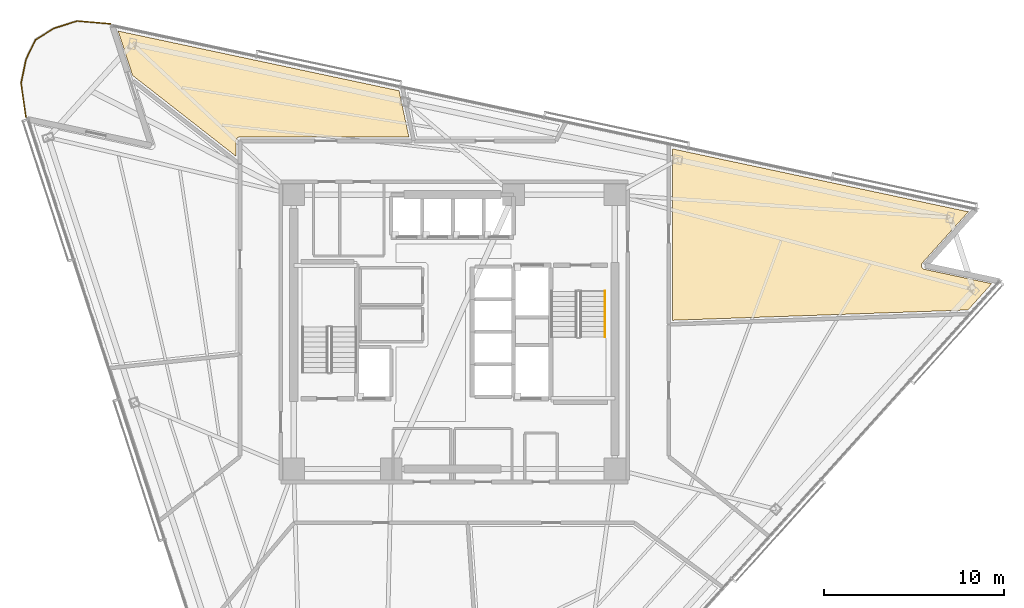
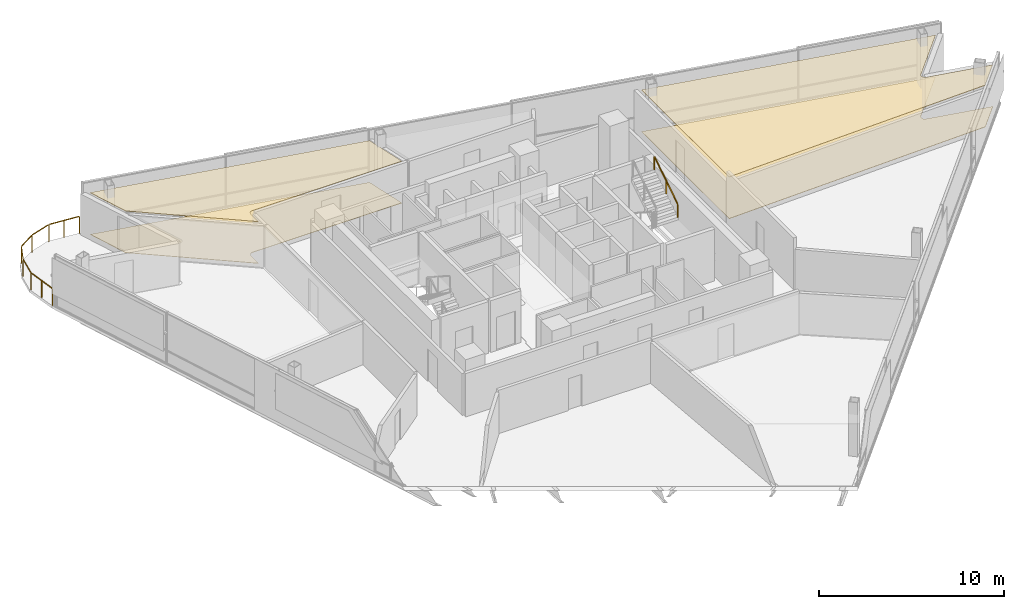
# One storey, part 17 of 17: 4 coverings, 2 railings.
"""IFC4 building model written with IfcOpenShell, lengths in metres."""

import ifcopenshell
import ifcopenshell.guid

model = None  # the IFC model being written
_history = None  # IfcOwnerHistory: only IFC2X3 demands one
_inside = {}  # id of a spatial element -> (the spatial element, [elements in it])
_under = {}  # id of a project, library or spatial element -> (it, [spatial elements below it])
_declared = {}  # id of a project -> (the project, [libraries it declares])
_typed = {}  # id of a type object -> (the type object, [elements of that type])
_made_of = {}  # id of a material, layer set ... -> (it, [elements and type objects made of it])


def new_model(schema):
    """Start an empty IFC model of exactly this schema.

    Asked for "IFC4X3", IfcOpenShell would pick the latest addendum, in which some entities
    have other attributes; the version numbers below select the first issue.
    IFC2X3 requires an IfcOwnerHistory on every rooted entity: one is made here for all.
    """
    global model, _history
    if schema == "IFC4X3":
        model = ifcopenshell.file(schema_version=(4, 3, 0, 0))
    else:
        model = ifcopenshell.file(schema=schema)
    _inside.clear()
    _under.clear()
    _declared.clear()
    _typed.clear()
    _made_of.clear()
    _history = None
    if model.schema == "IFC2X3":
        org = make("IfcOrganization", Name="unknown")
        user = make(
            "IfcPersonAndOrganization",
            ThePerson=make("IfcPerson", FamilyName="unknown"),
            TheOrganization=org,
        )
        app = make(
            "IfcApplication",
            ApplicationDeveloper=org,
            Version="unknown",
            ApplicationFullName="unknown",
            ApplicationIdentifier="unknown",
        )
        _history = make(
            "IfcOwnerHistory",
            OwningUser=user,
            OwningApplication=app,
            ChangeAction="ADDED",
            CreationDate=0,
        )
    return model


def make(cls, **values):
    """One entity of the class cls with the attributes given. An attribute that is None is left unset."""
    return model.create_entity(
        cls, **{name: value for name, value in values.items() if value is not None}
    )


def rooted(cls, **values):
    """An entity with a GlobalId (a new one), such as an element, a storey or a relation."""
    return make(cls, GlobalId=ifcopenshell.guid.new(), OwnerHistory=_history, **values)


def si_unit(unit_type, name, prefix=None):
    """IfcSIUnit, for example si_unit("LENGTHUNIT", "METRE", prefix="MILLI")."""
    return make("IfcSIUnit", UnitType=unit_type, Prefix=prefix, Name=name)


def assignment(units):
    """IfcUnitAssignment: the units of a project."""
    return None if units is None else make("IfcUnitAssignment", Units=units)


def point(xyz):
    """IfcCartesianPoint."""
    return None if xyz is None else make("IfcCartesianPoint", Coordinates=xyz)


def direction(xyz):
    """IfcDirection."""
    return None if xyz is None else make("IfcDirection", DirectionRatios=xyz)


def frame(location, z_axis=None, x_axis=None):
    """IfcAxis2Placement3D, a coordinate frame: its origin and axes. An axis left out is left unset."""
    return make(
        "IfcAxis2Placement3D",
        Location=point(location),
        Axis=direction(z_axis),
        RefDirection=direction(x_axis),
    )


def frame_2d(location, x_axis=None):
    """IfcAxis2Placement2D, a coordinate frame in the plane: its origin and x axis."""
    return make(
        "IfcAxis2Placement2D", Location=point(location), RefDirection=direction(x_axis)
    )


def origin():
    """The frame at (0, 0, 0) with its axes left unset."""
    return frame((0.0, 0.0, 0.0))


def origin_2d():
    """The frame at (0, 0) in the plane with its x axis left unset."""
    return frame_2d((0.0, 0.0))


def place(relative_to, where):
    """IfcLocalPlacement: puts the frame where relative to a parent placement (None: the world)."""
    return make(
        "IfcLocalPlacement", PlacementRelTo=relative_to, RelativePlacement=where
    )


def context(
    kind, dimensions, precision=None, world=None, true_north=None, identifier=None
):
    """IfcGeometricRepresentationContext, for example the 3D "Model" context."""
    return make(
        "IfcGeometricRepresentationContext",
        ContextIdentifier=identifier,
        ContextType=kind,
        CoordinateSpaceDimension=dimensions,
        Precision=precision,
        WorldCoordinateSystem=world,
        TrueNorth=true_north,
    )


def subcontext(parent, identifier, kind, view, scale=None):
    """IfcGeometricRepresentationSubContext, for example "Body" below "Model"."""
    return make(
        "IfcGeometricRepresentationSubContext",
        ContextIdentifier=identifier,
        ContextType=kind,
        ParentContext=parent,
        TargetScale=scale,
        TargetView=view,
    )


def project(units=None, contexts=None):
    """IfcProject with its units and contexts."""
    return rooted(
        "IfcProject",
        Name="project",
        RepresentationContexts=contexts,
        UnitsInContext=assignment(units),
    )


def spatial(cls, under=None, at=None, **own):
    """A site, building, storey or space (cls), placed at a placement, below another one or the project."""
    s = rooted(cls, ObjectPlacement=at, **own)
    if under is not None:
        _under.setdefault(under.id(), (under, []))[1].append(s)
    return s


def polyline(points):
    """IfcPolyline through the points."""
    return make("IfcPolyline", Points=[point(p) for p in points])


def profile(cls, at=None, kind="AREA", **sizes):
    """A parametric profile (cls). Its sizes go by their IFC names, for example OverallWidth=200.0."""
    return make(cls, ProfileType=kind, Position=at, **sizes)


def rectangle(**sizes):
    """IfcRectangleProfileDef."""
    return profile("IfcRectangleProfileDef", **sizes)


def outline(outer, holes=None, kind="AREA"):
    """IfcArbitraryClosedProfileDef: a profile drawn as a closed curve; with holes, ...WithVoids."""
    if holes is None:
        return make("IfcArbitraryClosedProfileDef", ProfileType=kind, OuterCurve=outer)
    return make(
        "IfcArbitraryProfileDefWithVoids",
        ProfileType=kind,
        OuterCurve=outer,
        InnerCurves=holes,
    )


def extrude(swept, where, along, depth):
    """IfcExtrudedAreaSolid: the profile swept, set in the frame where, extruded along a direction by depth."""
    return make(
        "IfcExtrudedAreaSolid",
        SweptArea=swept,
        Position=where,
        ExtrudedDirection=direction(along),
        Depth=depth,
    )


def shape(context_of_items, identifier, shape_type, items):
    """IfcShapeRepresentation: the items that make up one representation, for example the "Body"."""
    return make(
        "IfcShapeRepresentation",
        ContextOfItems=context_of_items,
        RepresentationIdentifier=identifier,
        RepresentationType=shape_type,
        Items=items,
    )


def material(Name=None, Category=None):
    """IfcMaterial."""
    return make("IfcMaterial", Name=Name, Category=Category)


def layer(
    of_material, thickness, ventilated=None, Name=None, Category=None, Priority=None
):
    """IfcMaterialLayer: one layer of a wall or slab, of a material (None: an air gap)."""
    return make(
        "IfcMaterialLayer",
        Material=of_material,
        LayerThickness=thickness,
        IsVentilated=ventilated,
        Name=Name,
        Category=Category,
        Priority=Priority,
    )


def layer_set(layers, Name=None):
    """IfcMaterialLayerSet."""
    return make("IfcMaterialLayerSet", MaterialLayers=layers, LayerSetName=Name)


def made_of(thing, what):
    """Note that an element or type object is made of a material, layer set ...; save() writes the relation."""
    if what is not None:
        _made_of.setdefault(what.id(), (what, []))[1].append(thing)
    return thing


def type_object(cls, material=None, **own):
    """A type object (cls), such as IfcWallType, which elements share."""
    return made_of(rooted(cls, **own), material)


def element(
    cls,
    number,
    at=None,
    inside=None,
    cuts=None,
    type_object=None,
    material=None,
    context=None,
    identifier="Body",
    shape_type=None,
    held_by="IfcProductDefinitionShape",
    body=None,
    shapes=None,
    **own,
):
    """One element of the class cls, such as IfcWall. Its Tag is "e" and its number.

    at: its placement. inside: the storey or other place that contains it. cuts: it is an
    opening in that element (IfcRelVoidsElement). A single representation is given by context,
    identifier, shape_type and body (its items); several are given by shapes. held_by: the class
    of the entity that holds the representations. save() writes the other relations.
    """
    e = rooted(cls, Tag="e%d" % number, ObjectPlacement=at, **own)
    if body is not None:
        shapes = [shape(context, identifier, shape_type, body)]
    if shapes is not None:
        e.Representation = make(held_by, Representations=shapes)
    if inside is not None:
        _inside.setdefault(inside.id(), (inside, []))[1].append(e)
    if cuts is not None:
        rooted(
            "IfcRelVoidsElement", RelatingBuildingElement=cuts, RelatedOpeningElement=e
        )
    if type_object is not None:
        _typed.setdefault(type_object.id(), (type_object, []))[1].append(e)
    return made_of(e, material)


def aggregate(whole, parts):
    """IfcRelAggregates: a whole, such as a stair, and the parts it consists of."""
    return rooted("IfcRelAggregates", RelatingObject=whole, RelatedObjects=parts)


def save(model, path):
    """Write the relations noted so far, then the file.

    IfcRelAggregates (storeys below a building ...), IfcRelContainedInSpatialStructure (elements
    in a storey), IfcRelDefinesByType, IfcRelAssociatesMaterial and IfcRelDeclares: one each for
    every whole, place, type object, material and project.
    """
    for whole, parts in _under.values():
        aggregate(whole, parts)
    for where, things in _inside.values():
        rooted(
            "IfcRelContainedInSpatialStructure",
            RelatedElements=things,
            RelatingStructure=where,
        )
    for kind, things in _typed.values():
        rooted("IfcRelDefinesByType", RelatedObjects=things, RelatingType=kind)
    for what, things in _made_of.values():
        rooted("IfcRelAssociatesMaterial", RelatedObjects=things, RelatingMaterial=what)
    for by, libraries in _declared.values():
        rooted("IfcRelDeclares", RelatingContext=by, RelatedDefinitions=libraries)
    model.write(path)


model = new_model("IFC4")

# Units and contexts
model_context = context("Model", 3, precision=1e-05, world=origin(), true_north=direction((0.0, 1.0)))
body_context = subcontext(model_context, "Body", "Model", "MODEL_VIEW")
ifc_project = project(units=[si_unit("LENGTHUNIT", "METRE"), si_unit("AREAUNIT", "SQUARE_METRE"), si_unit("VOLUMEUNIT", "CUBIC_METRE"), si_unit("PLANEANGLEUNIT", "RADIAN"), si_unit("MASSUNIT", "GRAM", prefix="KILO")], contexts=[model_context])

# Site, building, storey
site_placement = place(None, origin())
site = spatial("IfcSite", under=ifc_project, at=site_placement, CompositionType="ELEMENT")
building_placement = place(site_placement, origin())
building = spatial("IfcBuilding", under=site, at=building_placement, Name="Tharavind Bronze Gate", CompositionType="ELEMENT")
storey_placement = place(building_placement, frame((0.0, 0.0, 204.050048828125)))
storey = spatial("IfcBuildingStorey", under=building, at=storey_placement, Name="L52", CompositionType="ELEMENT", Elevation=204.050048828125)

# Coverings
ifc_material_1 = material(Name="Perforated Bronze Acoustic Panel", Category="bronze")
ifc_layer_1 = layer(ifc_material_1, 0.044921875)
ifc_layer_set_1 = layer_set([ifc_layer_1], Name="Perforated Bronze Acoustic Panel")
covering_type_1 = type_object("IfcCoveringType", Name="ACOUSTIC BRONZE BAFFLE CEILING", PredefinedType="CEILING", material=ifc_layer_set_1)
covering_1_placement = place(storey_placement, frame((0.0, 0.0, 2.75)))
element("IfcCovering", 1, at=covering_1_placement, inside=storey, type_object=covering_type_1, Name="L52-RM-03 suspended ceiling", PredefinedType="CEILING", context=body_context, shape_type="SweptSolid", body=[
    extrude(outline(polyline([(-17.8330078125, 14.2119140625), (-12.10009765625, 9.732666015625), (-12.10009765625, 10.579345703125), (-12.099609375, 10.590087890625), (-12.099609375, 10.5908203125), (-12.09765625, 10.6123046875), (-12.093505859375, 10.63330078125), (-12.087158203125, 10.654052734375), (-12.078857421875, 10.674072265625), (-12.068603515625, 10.693115234375), (-12.056640625, 10.7109375), (-12.04296875, 10.727783203125), (-12.027587890625, 10.742919921875), (-12.010986328125, 10.756591796875), (-11.9931640625, 10.768798828125), (-11.97412109375, 10.77880859375), (-11.9541015625, 10.787109375), (-11.933349609375, 10.79345703125), (-11.912353515625, 10.797607421875), (-11.890869140625, 10.7998046875), (-11.89013671875, 10.7998046875), (-11.87939453125, 10.800048828125), (-2.5205078125, 10.800048828125), (-3.065673828125, 13.3642578125), (-18.6328125, 16.673095703125), (-17.8330078125, 14.2119140625)])), origin(), (0.0, 0.0, 1.0), 0.034912109375),
])
ifc_material_2 = material(Name="Engineered Oak & Carpet Tile", Category="wood")
ifc_layer_2 = layer(ifc_material_2, 0.02490234375)
ifc_layer_set_2 = layer_set([ifc_layer_2], Name="Engineered Oak & Carpet Tile")
covering_type_2 = type_object("IfcCoveringType", Name="ENGINEERED TIMBER FLOORING", PredefinedType="FLOORING", material=ifc_layer_set_2)
covering_2_placement = place(storey_placement, origin())
element("IfcCovering", 2, at=covering_2_placement, inside=storey, type_object=covering_type_2, Name="L52-RM-01 floor finish", PredefinedType="FLOORING", context=body_context, shape_type="SweptSolid", body=[
    extrude(outline(polyline([(12.10009765625, 0.642578125), (28.4658203125, 1.214111328125), (29.781005859375, 2.674560546875), (26.057861328125, 3.466064453125), (26.047119140625, 3.468505859375), (26.04638671875, 3.46875), (26.025634765625, 3.475341796875), (26.005615234375, 3.484130859375), (25.986328125, 3.49462890625), (25.968505859375, 3.50732421875), (25.95166015625, 3.521484375), (25.9365234375, 3.537353515625), (25.923095703125, 3.5546875), (25.911376953125, 3.5732421875), (25.901611328125, 3.5927734375), (25.893798828125, 3.61328125), (25.887939453125, 3.634521484375), (25.884521484375, 3.656005859375), (25.883056640625, 3.677978515625), (25.8837890625, 3.699951171875), (25.88671875, 3.7216796875), (25.891845703125, 3.742919921875), (25.89892578125, 3.763671875), (25.908203125, 3.78369140625), (25.919189453125, 3.802490234375), (25.932373046875, 3.8203125), (25.9326171875, 3.820556640625), (25.939697265625, 3.8291015625), (28.48681640625, 6.65771484375), (12.10009765625, 10.140625), (12.10009765625, 0.642578125)])), origin(), (0.0, 0.0, 1.0), 0.02490234375),
])
covering_3_placement = place(storey_placement, origin())
element("IfcCovering", 3, at=covering_3_placement, inside=storey, type_object=covering_type_2, Name="L52-RM-03 floor finish", PredefinedType="FLOORING", context=body_context, shape_type="SweptSolid", body=[
    extrude(outline(polyline([(-17.8330078125, 14.2119140625), (-12.10009765625, 9.732666015625), (-12.10009765625, 10.579345703125), (-12.099609375, 10.590087890625), (-12.099609375, 10.5908203125), (-12.09765625, 10.6123046875), (-12.093505859375, 10.63330078125), (-12.087158203125, 10.654052734375), (-12.078857421875, 10.674072265625), (-12.068603515625, 10.693115234375), (-12.056640625, 10.7109375), (-12.04296875, 10.727783203125), (-12.027587890625, 10.742919921875), (-12.010986328125, 10.756591796875), (-11.9931640625, 10.768798828125), (-11.97412109375, 10.77880859375), (-11.9541015625, 10.787109375), (-11.933349609375, 10.79345703125), (-11.912353515625, 10.797607421875), (-11.890869140625, 10.7998046875), (-11.89013671875, 10.7998046875), (-11.87939453125, 10.800048828125), (-2.5205078125, 10.800048828125), (-3.065673828125, 13.3642578125), (-18.6328125, 16.673095703125), (-17.8330078125, 14.2119140625)])), origin(), (0.0, 0.0, 1.0), 0.02490234375),
])
ifc_material_3 = material(Name="Acoustic Gypsum Board", Category="gypsum")
ifc_layer_3 = layer(ifc_material_3, 0.030029296875)
ifc_layer_set_3 = layer_set([ifc_layer_3], Name="Acoustic Gypsum Board")
covering_type_3 = type_object("IfcCoveringType", Name="GYPSUM SUSPENDED CEILING", PredefinedType="CEILING", material=ifc_layer_set_3)
covering_4_placement = place(storey_placement, frame((0.0, 0.0, 2.75)))
element("IfcCovering", 4, at=covering_4_placement, inside=storey, type_object=covering_type_3, Name="L52-RM-01 suspended ceiling", PredefinedType="CEILING", context=body_context, shape_type="SweptSolid", body=[
    extrude(outline(polyline([(12.10009765625, 0.642578125), (28.4658203125, 1.214111328125), (29.781005859375, 2.674560546875), (26.057861328125, 3.466064453125), (26.047119140625, 3.468505859375), (26.04638671875, 3.46875), (26.025634765625, 3.475341796875), (26.005615234375, 3.484130859375), (25.986328125, 3.49462890625), (25.968505859375, 3.50732421875), (25.95166015625, 3.521484375), (25.9365234375, 3.537353515625), (25.923095703125, 3.5546875), (25.911376953125, 3.5732421875), (25.901611328125, 3.5927734375), (25.893798828125, 3.61328125), (25.887939453125, 3.634521484375), (25.884521484375, 3.656005859375), (25.883056640625, 3.677978515625), (25.8837890625, 3.699951171875), (25.88671875, 3.7216796875), (25.891845703125, 3.742919921875), (25.89892578125, 3.763671875), (25.908203125, 3.78369140625), (25.919189453125, 3.802490234375), (25.932373046875, 3.8203125), (25.9326171875, 3.820556640625), (25.939697265625, 3.8291015625), (28.48681640625, 6.65771484375), (12.10009765625, 10.140625), (12.10009765625, 0.642578125)])), origin(), (0.0, 0.0, 1.0), 0.034912109375),
])

# Railings
ifc_material_4 = material(Name="Brushed Bronze Alloy", Category="metal")
railing_type_1 = type_object("IfcRailingType", Name="STAIR BRONZE HANDRAIL 900", PredefinedType="HANDRAIL", material=ifc_material_4)
railing_1_placement = place(storey_placement, frame((8.35009765625, -0.27001953125, 1.97998046875)))
element("IfcRailing", 5, at=railing_1_placement, inside=storey, type_object=railing_type_1, Name="L52 ST2 stair handrail 2", PredefinedType="HANDRAIL", context=body_context, shape_type="SweptSolid", body=[
    extrude(rectangle(XDim=0.048095703125, YDim=0.048095703125, at=origin_2d()), frame((0.0, 0.02685546875, 0.89306640625), z_axis=(0.0, 0.841199657755, 0.540724639528), x_axis=(-1.0, 0.0, 0.0)), (0.0, 0.0, 1.0), 2.931640625),
    extrude(rectangle(XDim=0.0400390625, YDim=0.0400390625, at=origin_2d()), origin(), (0.0, 0.0, 1.0), 0.847900390625),
    extrude(rectangle(XDim=0.0400390625, YDim=0.0400390625, at=origin_2d()), frame((0.0, 1.260009765625, 0.81005859375)), (0.0, 0.0, 1.0), 0.847900390625),
    extrude(rectangle(XDim=0.0400390625, YDim=0.0400390625, at=origin_2d()), frame((0.0, 2.52001953125, 1.619873046875)), (0.0, 0.0, 1.0), 0.847900390625),
])
ifc_material_5 = material(Name="Bronze Cap & Laminated Glass", Category="glass")
railing_type_2 = type_object("IfcRailingType", Name="TERRACE GLASS GUARD RAILING 1150", PredefinedType="GUARDRAIL", material=ifc_material_5)
railing_2_placement = place(storey_placement, frame((-23.7490234375, 11.887451171875, 0.0)))
element("IfcRailing", 6, at=railing_2_placement, inside=storey, type_object=railing_type_2, Name="L52 tree balcony guard railing", PredefinedType="GUARDRAIL", context=body_context, shape_type="SweptSolid", body=[
    extrude(rectangle(XDim=0.048095703125, YDim=0.048095703125, at=origin_2d()), frame((-0.00439453125, 0.03173828125, 1.1259765625), z_axis=(-0.1396808932, 0.990196570422, 0.0), x_axis=(-0.990196570422, -0.1396808932, 0.0)), (0.0, 0.0, 1.0), 1.841064453125),
    extrude(rectangle(XDim=0.048095703125, YDim=0.048095703125, at=origin_2d()), frame((-0.259765625, 1.917724609375, 1.1259765625), z_axis=(0.201091111257, 0.979572541966, 0.0), x_axis=(-0.979572541966, 0.201091111257, 0.0)), (0.0, 0.0, 1.0), 1.284912109375),
    extrude(rectangle(XDim=0.048095703125, YDim=0.048095703125, at=origin_2d()), frame((0.01904296875, 3.236572265625, 1.1259765625), z_axis=(0.435566196468, 0.900156702188, 0.0), x_axis=(-0.900156702188, 0.435566196468, 0.0)), (0.0, 0.0, 1.0), 1.147216796875),
    extrude(rectangle(XDim=0.048095703125, YDim=0.048095703125, at=origin_2d()), frame((0.559814453125, 4.31494140625, 1.1259765625), z_axis=(0.849714893769, 0.527242448316, 0.0), x_axis=(-0.527242448316, 0.849714893769, 0.0)), (0.0, 0.0, 1.0), 1.1474609375),
    extrude(rectangle(XDim=0.048095703125, YDim=0.048095703125, at=origin_2d()), frame((1.592529296875, 4.946533203125, 1.1259765625), z_axis=(0.953163202503, 0.302456458675, 0.0), x_axis=(-0.302456458675, 0.953163202503, 0.0)), (0.0, 0.0, 1.0), 1.284912109375),
    extrude(rectangle(XDim=0.048095703125, YDim=0.048095703125, at=origin_2d()), frame((2.879638671875, 5.342041015625, 1.1259765625), z_axis=(0.996289002034, -0.086071042903, 0.0), x_axis=(0.086071042903, 0.996289002034, 0.0)), (0.0, 0.0, 1.0), 1.765625),
    extrude(rectangle(XDim=0.0400390625, YDim=0.0400390625, at=origin_2d()), origin(), (0.0, 0.0, 1.0), 1.097900390625),
    extrude(rectangle(XDim=0.0400390625, YDim=0.0400390625, at=origin_2d()), frame((-0.133056640625, 0.943359375, 0.0)), (0.0, 0.0, 1.0), 1.097900390625),
    extrude(rectangle(XDim=0.0400390625, YDim=0.0400390625, at=origin_2d()), frame((-0.26611328125, 1.886474609375, 0.0)), (0.0, 0.0, 1.0), 1.097900390625),
    extrude(rectangle(XDim=0.0400390625, YDim=0.0400390625, at=origin_2d()), frame((0.005126953125, 3.207763671875, 0.0)), (0.0, 0.0, 1.0), 1.097900390625),
    extrude(rectangle(XDim=0.0400390625, YDim=0.0400390625, at=origin_2d()), frame((0.53271484375, 4.298095703125, 0.0)), (0.0, 0.0, 1.0), 1.097900390625),
    extrude(rectangle(XDim=0.0400390625, YDim=0.0400390625, at=origin_2d()), frame((1.56201171875, 4.936767578125, 0.0)), (0.0, 0.0, 1.0), 1.097900390625),
    extrude(rectangle(XDim=0.0400390625, YDim=0.0400390625, at=origin_2d()), frame((2.84765625, 5.3447265625, 0.0)), (0.0, 0.0, 1.0), 1.097900390625),
    extrude(rectangle(XDim=0.0400390625, YDim=0.0400390625, at=origin_2d()), frame((3.759033203125, 5.26611328125, 0.0)), (0.0, 0.0, 1.0), 1.097900390625),
    extrude(rectangle(XDim=0.0400390625, YDim=0.0400390625, at=origin_2d()), frame((4.67041015625, 5.187255859375, 0.0)), (0.0, 0.0, 1.0), 1.097900390625),
])

save(model, "model.ifc")
